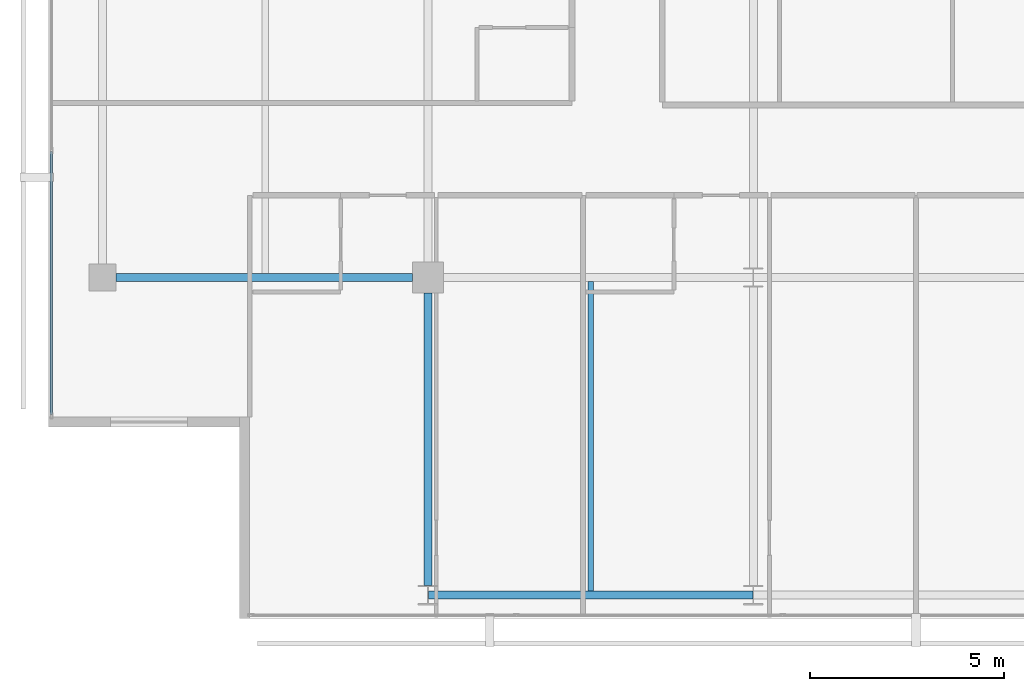
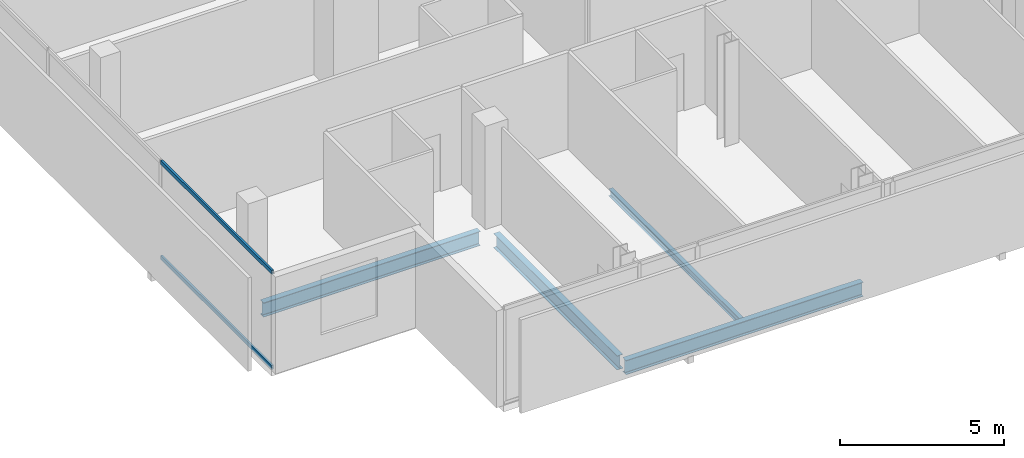
# One storey, part 3 of 26: 4 beams, 2 members, 1 element without a shape of its own.
"""IFC4 building model written with IfcOpenShell, lengths in metres."""

from ifc_helpers import new_model, si_unit, direction, frame, origin, origin_2d, place, context, subcontext, project, spatial, hollow_rectangle, i_section, extrude, material, layer, layer_set, material_profile, profile_set, type_object, element, aggregate, save


model = new_model("IFC4")

# Units and contexts
model_context = context("Model", 3, precision=1e-05, world=origin(), true_north=direction((0.0, 1.0)))
body_context = subcontext(model_context, "Body", "Model", "MODEL_VIEW")
ifc_project = project(units=[si_unit("LENGTHUNIT", "METRE"), si_unit("AREAUNIT", "SQUARE_METRE"), si_unit("VOLUMEUNIT", "CUBIC_METRE"), si_unit("PLANEANGLEUNIT", "RADIAN"), si_unit("MASSUNIT", "GRAM", prefix="KILO")], contexts=[model_context])

# Site, building, storey
site_placement = place(None, origin())
site = spatial("IfcSite", under=ifc_project, at=site_placement, CompositionType="ELEMENT")
building_placement = place(site_placement, origin())
building = spatial("IfcBuilding", under=site, at=building_placement, Name="Maruvema Waterfront Hotel and Observation Tower", CompositionType="ELEMENT")
storey_placement = place(building_placement, frame((0.0, 0.0, 258.64990234375)))
storey = spatial("IfcBuildingStorey", under=building, at=storey_placement, Name="L63", CompositionType="ELEMENT", Elevation=258.64990234375)

# Curtain wall, members
ifc_material_1 = material(Name="Anodised bronze aluminium and solar-control low-E IGU", Category="aluminium")
ifc_layer = layer(ifc_material_1, 0.159912109375, Name="Zone 3 Champagne Inner Thermal Curtain Wall System CW-04")
ifc_layer_set = layer_set([ifc_layer], Name="Anodised bronze aluminium and solar-control low-E IGU")
curtain_wall_type = type_object("IfcCurtainWallType", Name="Zone 3 Champagne Inner Thermal Curtain Wall System CW-04", PredefinedType="USERDEFINED", material=ifc_layer_set)
curtain_wall_placement = place(storey_placement, origin())
curtain_wall = element("IfcCurtainWall", 1, at=curtain_wall_placement, inside=storey, type_object=curtain_wall_type, Name="L63 Curtain Wall CW-L63-W", ObjectType="UNITISED CURTAIN WALL", PredefinedType="USERDEFINED")
ifc_material_2 = material(Name="Anodised architectural bronze aluminium", Category="aluminium")
ifc_material_profile_1 = material_profile(ifc_material_2, hollow_rectangle(XDim=0.070068359375, YDim=0.14990234375, WallThickness=0.00390625, at=origin_2d()), Name="ALU-T70x150")
ifc_profile_set_1 = profile_set([ifc_material_profile_1], Name="Anodised architectural bronze aluminium")
member_type = type_object("IfcMemberType", Name="Curtain Wall Horizontal Transom ALU-T70x150", PredefinedType="USERDEFINED", material=ifc_profile_set_1)
member_1_placement = place(storey_placement, frame((15.47998046875, 21.25, 0.030029296875), z_axis=(0.0, -1.0, 0.0), x_axis=(1.0, 0.0, 0.0)))
member_1 = element("IfcMember", 2, at=member_1_placement, type_object=member_type, Name="CW-04 transom 5.1", ObjectType="TRANSOM", PredefinedType="USERDEFINED", context=body_context, shape_type="SweptSolid", body=[
    extrude(hollow_rectangle(XDim=0.070068359375, YDim=0.14990234375, WallThickness=0.00390625, at=origin_2d()), origin(), (0.0, 0.0, 1.0), 6.7900390625),
])
member_2_placement = place(storey_placement, frame((15.47998046875, 21.25, 3.580078125), z_axis=(0.0, -1.0, 0.0), x_axis=(1.0, 0.0, 0.0)))
member_2 = element("IfcMember", 3, at=member_2_placement, type_object=member_type, Name="CW-04 transom 5.2", ObjectType="TRANSOM", PredefinedType="USERDEFINED", context=body_context, shape_type="SweptSolid", body=[
    extrude(hollow_rectangle(XDim=0.070068359375, YDim=0.14990234375, WallThickness=0.00390625, at=origin_2d()), origin(), (0.0, 0.0, 1.0), 6.7900390625),
])
aggregate(curtain_wall, [member_1, member_2])

# Beams
ifc_material_3 = material(Name="Steel ASTM A572 Grade 50", Category="steel")
ifc_material_profile_2 = material_profile(ifc_material_3, i_section(OverallWidth=0.208984375, OverallDepth=0.532958984375, WebThickness=0.01025390625, FlangeThickness=0.015625, FilletRadius=0.014892578125, at=origin_2d()), Name="W530x92.0")
ifc_profile_set_2 = profile_set([ifc_material_profile_2], Name="Steel ASTM A572 Grade 50")
beam_type_1 = type_object("IfcBeamType", Name="Primary Floor Girder W530x92.0", PredefinedType="BEAM", material=ifc_profile_set_2)
beam_1_placement = place(storey_placement, frame((25.2109375, 9.800048828125, -0.50634765625), z_axis=(1.0, 0.0, 0.0), x_axis=(0.0, 1.0, 0.0)))
element("IfcBeam", 4, at=beam_1_placement, inside=storey, type_object=beam_type_1, Name="L63 Floor Girder EW-01", PredefinedType="BEAM", context=body_context, shape_type="SweptSolid", body=[
    extrude(i_section(OverallWidth=0.208984375, OverallDepth=0.532958984375, WebThickness=0.01025390625, FlangeThickness=0.015625, FilletRadius=0.014892578125, at=origin_2d()), origin(), (0.0, 0.0, 1.0), 8.378173828125),
])
beam_2_placement = place(storey_placement, frame((17.14990234375, 18.0, -0.50634765625), z_axis=(1.0, 0.0, 0.0), x_axis=(0.0, 1.0, 0.0)))
element("IfcBeam", 5, at=beam_2_placement, inside=storey, type_object=beam_type_1, Name="L63 Floor Girder EW-04", PredefinedType="BEAM", context=body_context, shape_type="SweptSolid", body=[
    extrude(i_section(OverallWidth=0.208984375, OverallDepth=0.532958984375, WebThickness=0.01025390625, FlangeThickness=0.015625, FilletRadius=0.014892578125, at=origin_2d()), origin(), (0.0, 0.0, 1.0), 7.650146484375),
])
beam_3_placement = place(storey_placement, frame((25.199951171875, 10.050048828125, -0.50634765625), z_axis=(0.0, 1.0, 0.0), x_axis=(-1.0, 0.0, 0.0)))
element("IfcBeam", 6, at=beam_3_placement, inside=storey, type_object=beam_type_1, Name="L63 Floor Girder NS-04", PredefinedType="BEAM", context=body_context, shape_type="SweptSolid", body=[
    extrude(i_section(OverallWidth=0.208984375, OverallDepth=0.532958984375, WebThickness=0.01025390625, FlangeThickness=0.015625, FilletRadius=0.014892578125, at=origin_2d()), origin(), (0.0, 0.0, 1.0), 7.550048828125),
])
ifc_material_4 = material(Name="Steel ASTM A572 Grade 50", Category="steel")
ifc_material_profile_3 = material_profile(ifc_material_4, i_section(OverallWidth=0.14599609375, OverallDepth=0.258056640625, WebThickness=0.006103515625, FlangeThickness=0.009033203125, FilletRadius=0.012939453125, at=origin_2d()), Name="W250x32.7")
ifc_profile_set_3 = profile_set([ifc_material_profile_3], Name="Steel ASTM A572 Grade 50")
beam_type_2 = type_object("IfcBeamType", Name="Secondary Floor Joist W250x32.7", PredefinedType="JOIST", material=ifc_profile_set_3)
beam_4_placement = place(storey_placement, frame((29.39990234375, 9.904541015625, -0.368896484375), z_axis=(0.0, 1.0, 0.0), x_axis=(-1.0, 0.0, 0.0)))
element("IfcBeam", 7, at=beam_4_placement, inside=storey, type_object=beam_type_2, Name="L63 Secondary Floor Joist JS-04", PredefinedType="JOIST", context=body_context, shape_type="SweptSolid", body=[
    extrude(i_section(OverallWidth=0.14599609375, OverallDepth=0.258056640625, WebThickness=0.006103515625, FlangeThickness=0.009033203125, FilletRadius=0.012939453125, at=origin_2d()), origin(), (0.0, 0.0, 1.0), 7.990966796875),
])

save(model, "model.ifc")
